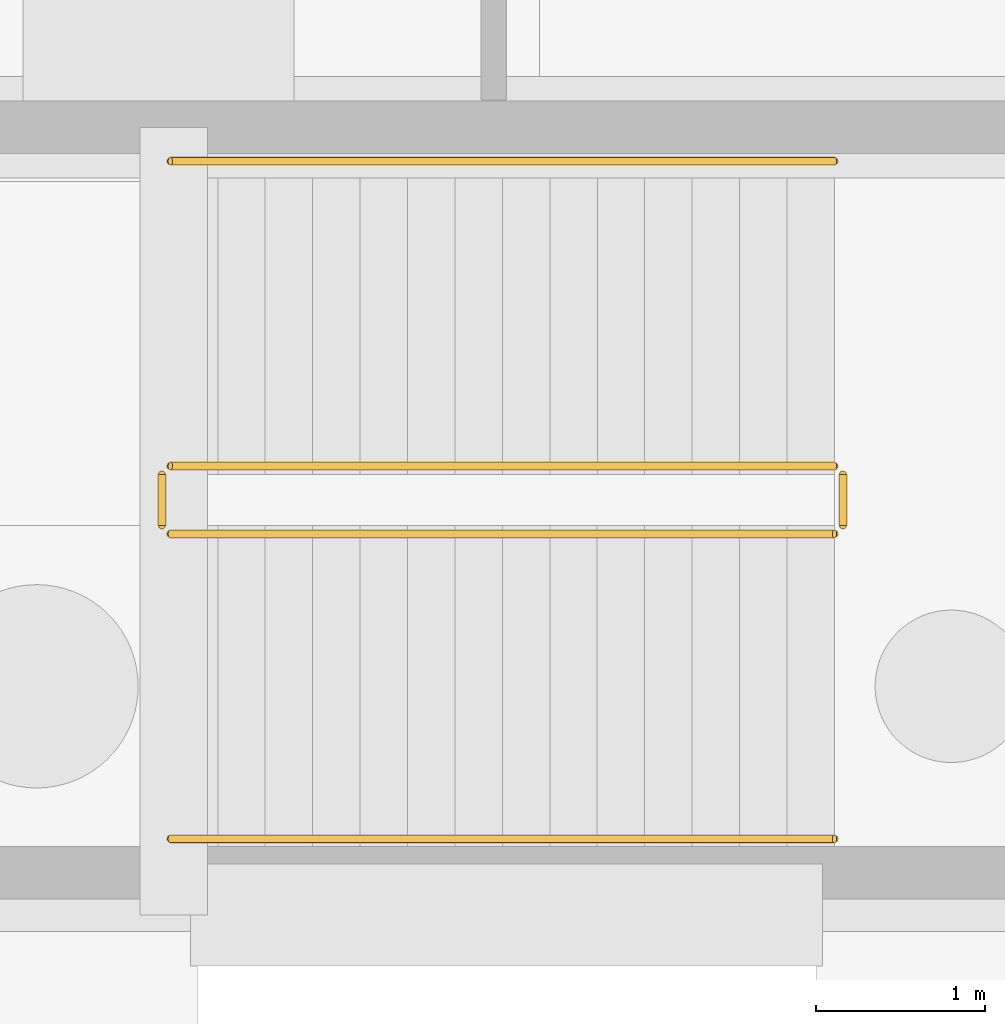
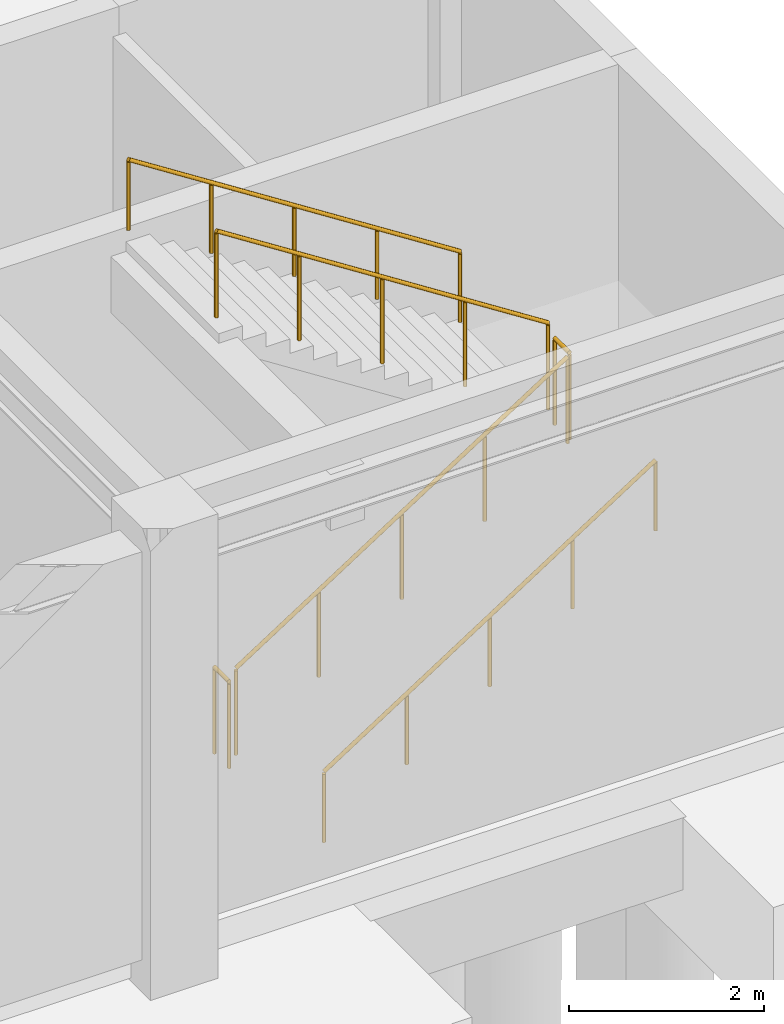
# One storey, part 21 of 26: 6 railings.
"""IFC4 building model written with IfcOpenShell, lengths in metres."""

from ifc_helpers import new_model, si_unit, direction, frame, origin, origin_2d, place, context, subcontext, project, spatial, circle, extrude, material, type_object, element, save


model = new_model("IFC4")

# Units and contexts
model_context = context("Model", 3, precision=1e-05, world=origin(), true_north=direction((0.0, 1.0)))
body_context = subcontext(model_context, "Body", "Model", "MODEL_VIEW")
ifc_project = project(units=[si_unit("LENGTHUNIT", "METRE"), si_unit("AREAUNIT", "SQUARE_METRE"), si_unit("VOLUMEUNIT", "CUBIC_METRE"), si_unit("PLANEANGLEUNIT", "RADIAN"), si_unit("MASSUNIT", "GRAM", prefix="KILO")], contexts=[model_context])

# Site, building, storey
site_placement = place(None, origin())
site = spatial("IfcSite", under=ifc_project, at=site_placement, CompositionType="ELEMENT")
building_placement = place(site_placement, origin())
building = spatial("IfcBuilding", under=site, at=building_placement, Name="Parian Resonance Hall", CompositionType="ELEMENT")
storey_placement = place(building_placement, frame((0.0, 0.0, -5.39990234375)))
storey = spatial("IfcBuildingStorey", under=building, at=storey_placement, Name="B1", CompositionType="ELEMENT", Elevation=-5.39990234375)

# Railings
ifc_material_1 = material(Name="Patinated bronze whiplash metalwork")
railing_type_1 = type_object("IfcRailingType", Name="RAIL-STAIR-GRD-1100", PredefinedType="GUARDRAIL", material=ifc_material_1)
railing_1_placement = place(storey_placement, frame((66.93994140625, 18.449951171875, 0.179931640625)))
element("IfcRailing", 1, at=railing_1_placement, inside=storey, type_object=railing_type_1, Name="B1 ST-03 stair guard 1", PredefinedType="GUARDRAIL", context=body_context, shape_type="SweptSolid", body=[
    extrude(circle(Radius=0.02392578125, at=origin_2d()), frame((0.0, 0.0, 1.076171875), z_axis=(0.841186985886, 0.0, 0.540744352514), x_axis=(0.0, 1.0, 0.0)), (0.0, 0.0, 1.0), 4.660400390625),
    extrude(circle(Radius=0.02099609375, at=origin_2d()), origin(), (0.0, 0.0, 1.0), 1.052001953125),
    extrude(circle(Radius=0.02099609375, at=origin_2d()), frame((0.97998046875, 0.0, 0.6298828125)), (0.0, 0.0, 1.0), 1.052001953125),
    extrude(circle(Radius=0.02099609375, at=origin_2d()), frame((1.9599609375, 0.0, 1.260009765625)), (0.0, 0.0, 1.0), 1.052001953125),
    extrude(circle(Radius=0.02099609375, at=origin_2d()), frame((2.940185546875, 0.0, 1.89013671875)), (0.0, 0.0, 1.0), 1.052001953125),
    extrude(circle(Radius=0.02099609375, at=origin_2d()), frame((3.920166015625, 0.0, 2.52001953125)), (0.0, 0.0, 1.0), 1.052001953125),
])
railing_2_placement = place(storey_placement, frame((70.909912109375, 18.5, 2.699951171875)))
element("IfcRailing", 2, at=railing_2_placement, inside=storey, type_object=railing_type_1, Name="B1 ST-03 stair guard 2", PredefinedType="GUARDRAIL", context=body_context, shape_type="SweptSolid", body=[
    extrude(circle(Radius=0.02392578125, at=origin_2d()), frame((0.0, 0.0, 1.076171875), z_axis=(0.0, 1.0, 0.0), x_axis=(-1.0, 0.0, 0.0)), (0.0, 0.0, 1.0), 0.300048828125),
    extrude(circle(Radius=0.02099609375, at=origin_2d()), origin(), (0.0, 0.0, 1.0), 1.052001953125),
    extrude(circle(Radius=0.02099609375, at=origin_2d()), frame((0.0, 0.300048828125, 0.0)), (0.0, 0.0, 1.0), 1.052001953125),
])
railing_3_placement = place(storey_placement, frame((70.860107421875, 18.85009765625, 2.8798828125)))
element("IfcRailing", 3, at=railing_3_placement, inside=storey, type_object=railing_type_1, Name="B1 ST-03 stair guard 3", PredefinedType="GUARDRAIL", context=body_context, shape_type="SweptSolid", body=[
    extrude(circle(Radius=0.02392578125, at=origin_2d()), frame((0.0, 0.0, 1.076171875), z_axis=(-0.841186985886, 0.0, 0.540744352514), x_axis=(0.0, -1.0, 0.0)), (0.0, 0.0, 1.0), 4.660400390625),
    extrude(circle(Radius=0.02099609375, at=origin_2d()), origin(), (0.0, 0.0, 1.0), 1.052001953125),
    extrude(circle(Radius=0.02099609375, at=origin_2d()), frame((-0.97998046875, 0.0, 0.6298828125)), (0.0, 0.0, 1.0), 1.052001953125),
    extrude(circle(Radius=0.02099609375, at=origin_2d()), frame((-1.9599609375, 0.0, 1.260009765625)), (0.0, 0.0, 1.0), 1.052001953125),
    extrude(circle(Radius=0.02099609375, at=origin_2d()), frame((-2.940185546875, 0.0, 1.89013671875)), (0.0, 0.0, 1.0), 1.052001953125),
    extrude(circle(Radius=0.02099609375, at=origin_2d()), frame((-3.920166015625, 0.0, 2.52001953125)), (0.0, 0.0, 1.0), 1.052001953125),
])
railing_4_placement = place(storey_placement, frame((66.889892578125, 18.5, 0.0)))
element("IfcRailing", 4, at=railing_4_placement, inside=storey, type_object=railing_type_1, Name="B1 ST-03 stair guard 4", PredefinedType="GUARDRAIL", context=body_context, shape_type="SweptSolid", body=[
    extrude(circle(Radius=0.02392578125, at=origin_2d()), frame((0.0, 0.0, 1.076171875), z_axis=(0.0, 1.0, 0.0), x_axis=(-1.0, 0.0, 0.0)), (0.0, 0.0, 1.0), 0.300048828125),
    extrude(circle(Radius=0.02099609375, at=origin_2d()), origin(), (0.0, 0.0, 1.0), 1.052001953125),
    extrude(circle(Radius=0.02099609375, at=origin_2d()), frame((0.0, 0.300048828125, 0.0)), (0.0, 0.0, 1.0), 1.052001953125),
])
ifc_material_2 = material(Name="Patinated bronze whiplash metalwork")
railing_type_2 = type_object("IfcRailingType", Name="RAIL-STAIR-HR-900", PredefinedType="HANDRAIL", material=ifc_material_2)
railing_5_placement = place(storey_placement, frame((66.93994140625, 16.64990234375, 0.179931640625)))
element("IfcRailing", 5, at=railing_5_placement, inside=storey, type_object=railing_type_2, Name="B1 ST-03 stair handrail 1", PredefinedType="HANDRAIL", context=body_context, shape_type="SweptSolid", body=[
    extrude(circle(Radius=0.02392578125, at=origin_2d()), frame((0.0, 0.0, 0.8759765625), z_axis=(0.841186985886, 0.0, 0.540744352514), x_axis=(0.0, 1.0, 0.0)), (0.0, 0.0, 1.0), 4.660400390625),
    extrude(circle(Radius=0.02099609375, at=origin_2d()), origin(), (0.0, 0.0, 1.0), 0.851806640625),
    extrude(circle(Radius=0.02099609375, at=origin_2d()), frame((0.97998046875, 0.0, 0.6298828125)), (0.0, 0.0, 1.0), 0.851806640625),
    extrude(circle(Radius=0.02099609375, at=origin_2d()), frame((1.9599609375, 0.0, 1.260009765625)), (0.0, 0.0, 1.0), 0.851806640625),
    extrude(circle(Radius=0.02099609375, at=origin_2d()), frame((2.940185546875, 0.0, 1.89013671875)), (0.0, 0.0, 1.0), 0.851806640625),
    extrude(circle(Radius=0.02099609375, at=origin_2d()), frame((3.920166015625, 0.0, 2.52001953125)), (0.0, 0.0, 1.0), 0.851806640625),
])
railing_6_placement = place(storey_placement, frame((70.860107421875, 20.64990234375, 2.8798828125)))
element("IfcRailing", 6, at=railing_6_placement, inside=storey, type_object=railing_type_2, Name="B1 ST-03 stair handrail 2", PredefinedType="HANDRAIL", context=body_context, shape_type="SweptSolid", body=[
    extrude(circle(Radius=0.02392578125, at=origin_2d()), frame((0.0, 0.0, 0.8759765625), z_axis=(-0.841186985886, 0.0, 0.540744352514), x_axis=(0.0, -1.0, 0.0)), (0.0, 0.0, 1.0), 4.660400390625),
    extrude(circle(Radius=0.02099609375, at=origin_2d()), origin(), (0.0, 0.0, 1.0), 0.851806640625),
    extrude(circle(Radius=0.02099609375, at=origin_2d()), frame((-0.97998046875, 0.0, 0.6298828125)), (0.0, 0.0, 1.0), 0.851806640625),
    extrude(circle(Radius=0.02099609375, at=origin_2d()), frame((-1.9599609375, 0.0, 1.260009765625)), (0.0, 0.0, 1.0), 0.851806640625),
    extrude(circle(Radius=0.02099609375, at=origin_2d()), frame((-2.940185546875, 0.0, 1.89013671875)), (0.0, 0.0, 1.0), 0.851806640625),
    extrude(circle(Radius=0.02099609375, at=origin_2d()), frame((-3.920166015625, 0.0, 2.52001953125)), (0.0, 0.0, 1.0), 0.851806640625),
])

save(model, "model.ifc")
